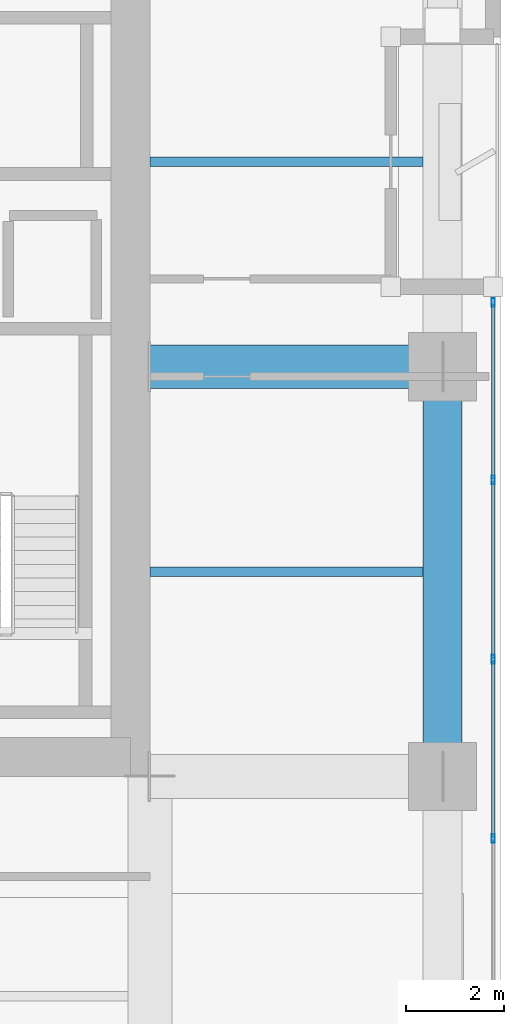
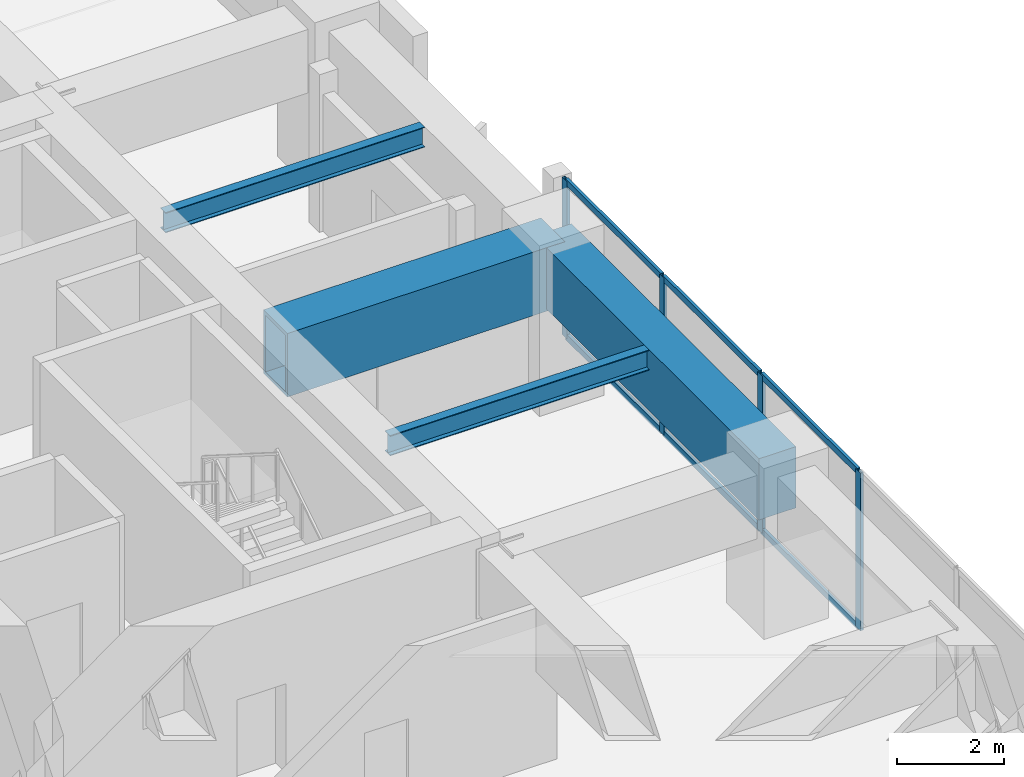
# One storey, part 6 of 25: 10 members, 4 beams, 1 element without a shape of its own.
"""IFC4 building model written with IfcOpenShell, lengths in metres."""

from ifc_helpers import new_model, si_unit, direction, frame, origin, origin_2d, place, context, subcontext, project, spatial, rectangle, hollow_rectangle, i_section, extrude, material, layer, layer_set, material_profile, profile_set, type_object, element, aggregate, save


model = new_model("IFC4")

# Units and contexts
model_context = context("Model", 3, precision=1e-05, world=origin(), true_north=direction((0.0, 1.0)))
body_context = subcontext(model_context, "Body", "Model", "MODEL_VIEW")
ifc_project = project(units=[si_unit("LENGTHUNIT", "METRE"), si_unit("AREAUNIT", "SQUARE_METRE"), si_unit("VOLUMEUNIT", "CUBIC_METRE"), si_unit("PLANEANGLEUNIT", "RADIAN"), si_unit("MASSUNIT", "GRAM", prefix="KILO")], contexts=[model_context])

# Site, building, storey
site_placement = place(None, origin())
site = spatial("IfcSite", under=ifc_project, at=site_placement, CompositionType="ELEMENT")
building_placement = place(site_placement, origin())
building = spatial("IfcBuilding", under=site, at=building_placement, Name="Kiyonajd Concourse Tower", CompositionType="ELEMENT")
storey_placement = place(building_placement, frame((0.0, 0.0, 141.60009765625)))
storey = spatial("IfcBuildingStorey", under=building, at=storey_placement, Name="L36", CompositionType="ELEMENT", Elevation=141.60009765625)

# Beams
ifc_material_1 = material(Name="Steel ASTM A992 Grade 50", Category="steel")
ifc_material_profile_1 = material_profile(ifc_material_1, i_section(OverallWidth=0.19189453125, OverallDepth=0.462890625, WebThickness=0.010498046875, FlangeThickness=0.017578125, at=origin_2d()), Name="W460X89")
ifc_profile_set_1 = profile_set([ifc_material_profile_1], Name="Steel ASTM A992 Grade 50")
beam_type_1 = type_object("IfcBeamType", Name="BM-JST-460B", PredefinedType="JOIST", material=ifc_profile_set_1)
for number, where, z_axis, x_axis, name in (
    (1, (63.60009765625, 31.800048828125, 3.368408203125), (1.0, 0.0, 0.0), (0.0, 1.0, 0.0), "L36 East Secondary Floor Joist"),
    (2, (63.60009765625, 40.199951171875, 3.368408203125), (1.0, 0.0, 0.0), (0.0, 1.0, 0.0), "L36 East Secondary Floor Joist"),
):
    element("IfcBeam", number, at=place(storey_placement, frame(where, z_axis=z_axis, x_axis=x_axis)), inside=storey, type_object=beam_type_1, Name=name, PredefinedType="JOIST", context=body_context, shape_type="SweptSolid", body=[
        extrude(i_section(OverallWidth=0.19189453125, OverallDepth=0.462890625, WebThickness=0.010498046875, FlangeThickness=0.017578125, at=origin_2d()), origin(), (0.0, 0.0, 1.0), 5.599853515625),
    ])
ifc_material_2 = material(Name="Steel ASTM A572 Grade 50", Category="steel")
ifc_material_profile_2 = material_profile(ifc_material_2, hollow_rectangle(XDim=0.89990234375, YDim=1.449951171875, WallThickness=0.074951171875, at=origin_2d()), Name="BOX-1450x900x75")
ifc_profile_set_2 = profile_set([ifc_material_profile_2], Name="Steel ASTM A572 Grade 50")
beam_type_2 = type_object("IfcBeamType", Name="BM-XFER-1800", PredefinedType="BEAM", material=ifc_profile_set_2)
beam_1_placement = place(storey_placement, frame((63.60009765625, 36.0, 2.875), z_axis=(1.0, 0.0, 0.0), x_axis=(0.0, 1.0, 0.0)))
element("IfcBeam", 3, at=beam_1_placement, inside=storey, type_object=beam_type_2, Name="L36 East Lease Girder", PredefinedType="BEAM", context=body_context, shape_type="SweptSolid", body=[
    extrude(hollow_rectangle(XDim=0.89990234375, YDim=1.449951171875, WallThickness=0.074951171875, at=origin_2d()), origin(), (0.0, 0.0, 1.0), 6.0),
])
ifc_material_3 = material(Name="Concrete C60/75", Category="concrete")
ifc_material_profile_3 = material_profile(ifc_material_3, rectangle(XDim=0.800048828125, YDim=1.39990234375, at=origin_2d()), Name="RCBM-800x1400")
ifc_profile_set_3 = profile_set([ifc_material_profile_3], Name="Concrete C60/75")
beam_type_3 = type_object("IfcBeamType", Name="BM-XFER-RC", PredefinedType="BEAM", material=ifc_profile_set_3)
beam_2_placement = place(storey_placement, frame((69.60009765625, 27.60009765625, 2.89990234375), z_axis=(0.0, 1.0, 0.0), x_axis=(-1.0, 0.0, 0.0)))
element("IfcBeam", 4, at=beam_2_placement, inside=storey, type_object=beam_type_3, Name="L36 Perimeter Bundled Tube Spandrel", PredefinedType="BEAM", context=body_context, shape_type="SweptSolid", body=[
    extrude(rectangle(XDim=0.800048828125, YDim=1.39990234375, at=origin_2d()), origin(), (0.0, 0.0, 1.0), 8.39990234375),
])

# Curtain wall, members
ifc_material_4 = material(Name="Thermally Broken Anodised Aluminium", Category="aluminium")
ifc_layer = layer(ifc_material_4, 0.179931640625)
ifc_layer_set = layer_set([ifc_layer], Name="Thermally Broken Anodised Aluminium")
curtain_wall_type = type_object("IfcCurtainWallType", Name="CW-SYS-03", PredefinedType="NOTDEFINED", material=ifc_layer_set)
curtain_wall_placement = place(storey_placement, origin())
curtain_wall = element("IfcCurtainWall", 5, at=curtain_wall_placement, inside=storey, type_object=curtain_wall_type, Name="L36 Unitised Curtain Wall CW3", PredefinedType="NOTDEFINED")
ifc_material_profile_4 = material_profile(ifc_material_4, hollow_rectangle(XDim=0.06494140625, YDim=0.179931640625, WallThickness=0.00390625, at=origin_2d()), Name="MULL-65x180")
ifc_profile_set_4 = profile_set([ifc_material_profile_4], Name="Thermally Broken Anodised Aluminium")
member_type_1 = type_object("IfcMemberType", Name="MB-CW-MULL1", PredefinedType="MULLION", material=ifc_profile_set_4)
member_1_placement = place(storey_placement, frame((70.639892578125, 37.3173828125, 0.0), z_axis=(0.0, 0.0, 1.0), x_axis=(1.0, 0.0, 0.0)))
member_1 = element("IfcMember", 6, at=member_1_placement, type_object=member_type_1, Name="CW3 mullion 1", PredefinedType="MULLION", context=body_context, shape_type="SweptSolid", body=[
    extrude(hollow_rectangle(XDim=0.06494140625, YDim=0.179931640625, WallThickness=0.00390625, at=origin_2d()), origin(), (0.0, 0.0, 1.0), 3.599853515625),
])
member_2_placement = place(storey_placement, frame((70.639892578125, 33.6767578125, 0.0), z_axis=(0.0, 0.0, 1.0), x_axis=(1.0, 0.0, 0.0)))
member_2 = element("IfcMember", 7, at=member_2_placement, type_object=member_type_1, Name="CW3 mullion 2", PredefinedType="MULLION", context=body_context, shape_type="SweptSolid", body=[
    extrude(hollow_rectangle(XDim=0.06494140625, YDim=0.179931640625, WallThickness=0.00390625, at=origin_2d()), origin(), (0.0, 0.0, 1.0), 3.599853515625),
])
member_3_placement = place(storey_placement, frame((70.639892578125, 30.003662109375, 0.0), z_axis=(0.0, 0.0, 1.0), x_axis=(1.0, 0.0, 0.0)))
member_3 = element("IfcMember", 8, at=member_3_placement, type_object=member_type_1, Name="CW3 mullion 3", PredefinedType="MULLION", context=body_context, shape_type="SweptSolid", body=[
    extrude(hollow_rectangle(XDim=0.06494140625, YDim=0.179931640625, WallThickness=0.00390625, at=origin_2d()), origin(), (0.0, 0.0, 1.0), 3.599853515625),
])
member_4_placement = place(storey_placement, frame((70.639892578125, 26.33056640625, 0.0), z_axis=(0.0, 0.0, 1.0), x_axis=(1.0, 0.0, 0.0)))
member_4 = element("IfcMember", 9, at=member_4_placement, type_object=member_type_1, Name="CW3 mullion 4", PredefinedType="MULLION", context=body_context, shape_type="SweptSolid", body=[
    extrude(hollow_rectangle(XDim=0.06494140625, YDim=0.179931640625, WallThickness=0.00390625, at=origin_2d()), origin(), (0.0, 0.0, 1.0), 3.599853515625),
])
ifc_material_profile_5 = material_profile(ifc_material_4, hollow_rectangle(XDim=0.06494140625, YDim=0.139892578125, WallThickness=0.00390625, at=origin_2d()), Name="TRAN-65x140")
ifc_profile_set_5 = profile_set([ifc_material_profile_5], Name="Thermally Broken Anodised Aluminium")
member_type_2 = type_object("IfcMemberType", Name="MB-CW-TRAN1", PredefinedType="USERDEFINED", material=ifc_profile_set_5)
member_5_placement = place(storey_placement, frame((70.639892578125, 37.284912109375, 0.032470703125), z_axis=(0.0, -1.0, 0.0), x_axis=(1.0, 0.0, 0.0)))
member_5 = element("IfcMember", 10, at=member_5_placement, type_object=member_type_2, Name="CW3 transom 1.1", ObjectType="TRANSOM", PredefinedType="USERDEFINED", context=body_context, shape_type="SweptSolid", body=[
    extrude(hollow_rectangle(XDim=0.06494140625, YDim=0.139892578125, WallThickness=0.00390625, at=origin_2d()), origin(), (0.0, 0.0, 1.0), 3.57568359375),
])
member_6_placement = place(storey_placement, frame((70.639892578125, 37.284912109375, 3.5673828125), z_axis=(0.0, -1.0, 0.0), x_axis=(1.0, 0.0, 0.0)))
member_6 = element("IfcMember", 11, at=member_6_placement, type_object=member_type_2, Name="CW3 transom 1.2", ObjectType="TRANSOM", PredefinedType="USERDEFINED", context=body_context, shape_type="SweptSolid", body=[
    extrude(hollow_rectangle(XDim=0.06494140625, YDim=0.139892578125, WallThickness=0.00390625, at=origin_2d()), origin(), (0.0, 0.0, 1.0), 3.57568359375),
])
member_7_placement = place(storey_placement, frame((70.639892578125, 33.644287109375, 0.032470703125), z_axis=(0.0, -1.0, 0.0), x_axis=(1.0, 0.0, 0.0)))
member_7 = element("IfcMember", 12, at=member_7_placement, type_object=member_type_2, Name="CW3 transom 2.1", ObjectType="TRANSOM", PredefinedType="USERDEFINED", context=body_context, shape_type="SweptSolid", body=[
    extrude(hollow_rectangle(XDim=0.06494140625, YDim=0.139892578125, WallThickness=0.00390625, at=origin_2d()), origin(), (0.0, 0.0, 1.0), 3.608154296875),
])
member_8_placement = place(storey_placement, frame((70.639892578125, 33.644287109375, 3.5673828125), z_axis=(0.0, -1.0, 0.0), x_axis=(1.0, 0.0, 0.0)))
member_8 = element("IfcMember", 13, at=member_8_placement, type_object=member_type_2, Name="CW3 transom 2.2", ObjectType="TRANSOM", PredefinedType="USERDEFINED", context=body_context, shape_type="SweptSolid", body=[
    extrude(hollow_rectangle(XDim=0.06494140625, YDim=0.139892578125, WallThickness=0.00390625, at=origin_2d()), origin(), (0.0, 0.0, 1.0), 3.608154296875),
])
member_9_placement = place(storey_placement, frame((70.639892578125, 29.97119140625, 0.032470703125), z_axis=(0.0, -1.0, 0.0), x_axis=(1.0, 0.0, 0.0)))
member_9 = element("IfcMember", 14, at=member_9_placement, type_object=member_type_2, Name="CW3 transom 3.1", ObjectType="TRANSOM", PredefinedType="USERDEFINED", context=body_context, shape_type="SweptSolid", body=[
    extrude(hollow_rectangle(XDim=0.06494140625, YDim=0.139892578125, WallThickness=0.00390625, at=origin_2d()), origin(), (0.0, 0.0, 1.0), 3.608154296875),
])
member_10_placement = place(storey_placement, frame((70.639892578125, 29.97119140625, 3.5673828125), z_axis=(0.0, -1.0, 0.0), x_axis=(1.0, 0.0, 0.0)))
member_10 = element("IfcMember", 15, at=member_10_placement, type_object=member_type_2, Name="CW3 transom 3.2", ObjectType="TRANSOM", PredefinedType="USERDEFINED", context=body_context, shape_type="SweptSolid", body=[
    extrude(hollow_rectangle(XDim=0.06494140625, YDim=0.139892578125, WallThickness=0.00390625, at=origin_2d()), origin(), (0.0, 0.0, 1.0), 3.608154296875),
])
aggregate(curtain_wall, [member_1, member_2, member_3, member_4, member_5, member_6, member_7, member_8, member_9, member_10])

save(model, "model.ifc")
